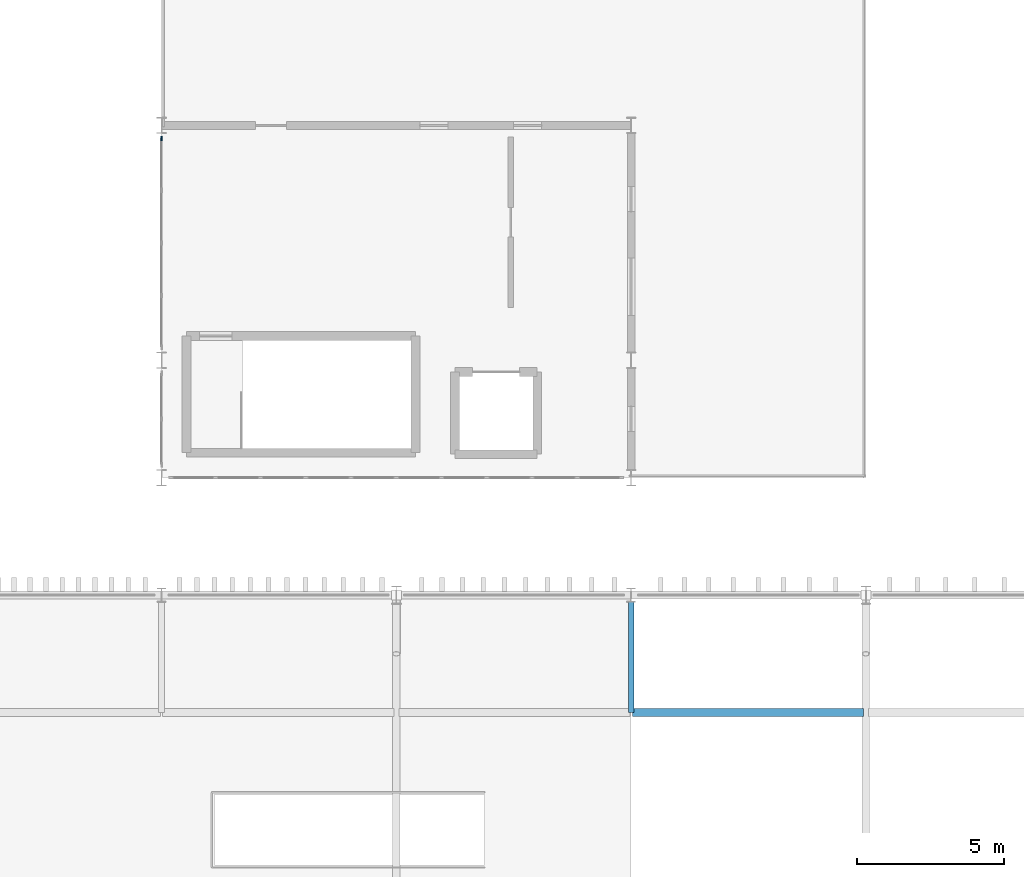
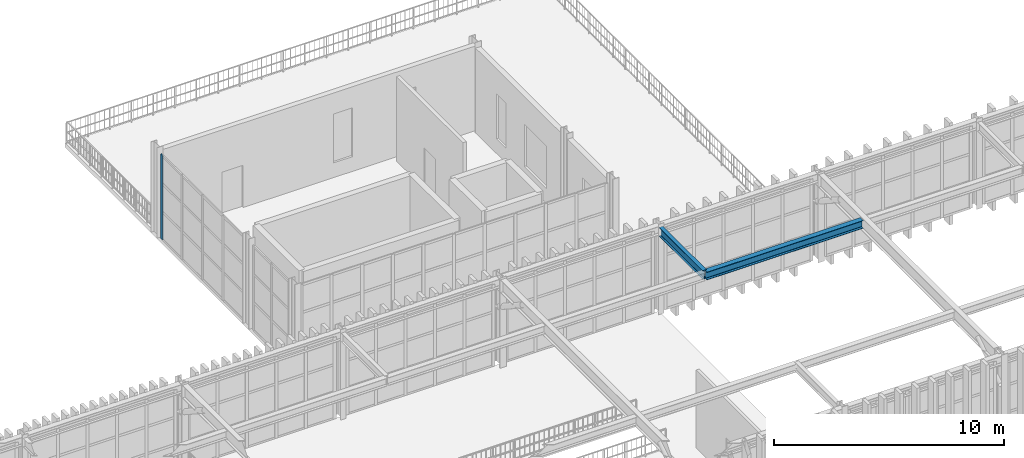
# One storey, part 27 of 61: 2 beams, 1 member, 1 element without a shape of its own.
"""IFC4 building model written with IfcOpenShell, lengths in metres."""

import ifcopenshell
import ifcopenshell.guid

model = None  # the IFC model being written
_history = None  # IfcOwnerHistory: only IFC2X3 demands one
_inside = {}  # id of a spatial element -> (the spatial element, [elements in it])
_under = {}  # id of a project, library or spatial element -> (it, [spatial elements below it])
_declared = {}  # id of a project -> (the project, [libraries it declares])
_typed = {}  # id of a type object -> (the type object, [elements of that type])
_made_of = {}  # id of a material, layer set ... -> (it, [elements and type objects made of it])


def new_model(schema):
    """Start an empty IFC model of exactly this schema.

    Asked for "IFC4X3", IfcOpenShell would pick the latest addendum, in which some entities
    have other attributes; the version numbers below select the first issue.
    IFC2X3 requires an IfcOwnerHistory on every rooted entity: one is made here for all.
    """
    global model, _history
    if schema == "IFC4X3":
        model = ifcopenshell.file(schema_version=(4, 3, 0, 0))
    else:
        model = ifcopenshell.file(schema=schema)
    _inside.clear()
    _under.clear()
    _declared.clear()
    _typed.clear()
    _made_of.clear()
    _history = None
    if model.schema == "IFC2X3":
        org = make("IfcOrganization", Name="unknown")
        user = make(
            "IfcPersonAndOrganization",
            ThePerson=make("IfcPerson", FamilyName="unknown"),
            TheOrganization=org,
        )
        app = make(
            "IfcApplication",
            ApplicationDeveloper=org,
            Version="unknown",
            ApplicationFullName="unknown",
            ApplicationIdentifier="unknown",
        )
        _history = make(
            "IfcOwnerHistory",
            OwningUser=user,
            OwningApplication=app,
            ChangeAction="ADDED",
            CreationDate=0,
        )
    return model


def make(cls, **values):
    """One entity of the class cls with the attributes given. An attribute that is None is left unset."""
    return model.create_entity(
        cls, **{name: value for name, value in values.items() if value is not None}
    )


def rooted(cls, **values):
    """An entity with a GlobalId (a new one), such as an element, a storey or a relation."""
    return make(cls, GlobalId=ifcopenshell.guid.new(), OwnerHistory=_history, **values)


def si_unit(unit_type, name, prefix=None):
    """IfcSIUnit, for example si_unit("LENGTHUNIT", "METRE", prefix="MILLI")."""
    return make("IfcSIUnit", UnitType=unit_type, Prefix=prefix, Name=name)


def assignment(units):
    """IfcUnitAssignment: the units of a project."""
    return None if units is None else make("IfcUnitAssignment", Units=units)


def point(xyz):
    """IfcCartesianPoint."""
    return None if xyz is None else make("IfcCartesianPoint", Coordinates=xyz)


def direction(xyz):
    """IfcDirection."""
    return None if xyz is None else make("IfcDirection", DirectionRatios=xyz)


def frame(location, z_axis=None, x_axis=None):
    """IfcAxis2Placement3D, a coordinate frame: its origin and axes. An axis left out is left unset."""
    return make(
        "IfcAxis2Placement3D",
        Location=point(location),
        Axis=direction(z_axis),
        RefDirection=direction(x_axis),
    )


def frame_2d(location, x_axis=None):
    """IfcAxis2Placement2D, a coordinate frame in the plane: its origin and x axis."""
    return make(
        "IfcAxis2Placement2D", Location=point(location), RefDirection=direction(x_axis)
    )


def origin():
    """The frame at (0, 0, 0) with its axes left unset."""
    return frame((0.0, 0.0, 0.0))


def origin_2d():
    """The frame at (0, 0) in the plane with its x axis left unset."""
    return frame_2d((0.0, 0.0))


def place(relative_to, where):
    """IfcLocalPlacement: puts the frame where relative to a parent placement (None: the world)."""
    return make(
        "IfcLocalPlacement", PlacementRelTo=relative_to, RelativePlacement=where
    )


def context(
    kind, dimensions, precision=None, world=None, true_north=None, identifier=None
):
    """IfcGeometricRepresentationContext, for example the 3D "Model" context."""
    return make(
        "IfcGeometricRepresentationContext",
        ContextIdentifier=identifier,
        ContextType=kind,
        CoordinateSpaceDimension=dimensions,
        Precision=precision,
        WorldCoordinateSystem=world,
        TrueNorth=true_north,
    )


def subcontext(parent, identifier, kind, view, scale=None):
    """IfcGeometricRepresentationSubContext, for example "Body" below "Model"."""
    return make(
        "IfcGeometricRepresentationSubContext",
        ContextIdentifier=identifier,
        ContextType=kind,
        ParentContext=parent,
        TargetScale=scale,
        TargetView=view,
    )


def project(units=None, contexts=None):
    """IfcProject with its units and contexts."""
    return rooted(
        "IfcProject",
        Name="project",
        RepresentationContexts=contexts,
        UnitsInContext=assignment(units),
    )


def spatial(cls, under=None, at=None, **own):
    """A site, building, storey or space (cls), placed at a placement, below another one or the project."""
    s = rooted(cls, ObjectPlacement=at, **own)
    if under is not None:
        _under.setdefault(under.id(), (under, []))[1].append(s)
    return s


def profile(cls, at=None, kind="AREA", **sizes):
    """A parametric profile (cls). Its sizes go by their IFC names, for example OverallWidth=200.0."""
    return make(cls, ProfileType=kind, Position=at, **sizes)


def rectangle(**sizes):
    """IfcRectangleProfileDef."""
    return profile("IfcRectangleProfileDef", **sizes)


def i_section(**sizes):
    """IfcIShapeProfileDef."""
    return profile("IfcIShapeProfileDef", **sizes)


def extrude(swept, where, along, depth):
    """IfcExtrudedAreaSolid: the profile swept, set in the frame where, extruded along a direction by depth."""
    return make(
        "IfcExtrudedAreaSolid",
        SweptArea=swept,
        Position=where,
        ExtrudedDirection=direction(along),
        Depth=depth,
    )


def shape(context_of_items, identifier, shape_type, items):
    """IfcShapeRepresentation: the items that make up one representation, for example the "Body"."""
    return make(
        "IfcShapeRepresentation",
        ContextOfItems=context_of_items,
        RepresentationIdentifier=identifier,
        RepresentationType=shape_type,
        Items=items,
    )


def material(Name=None, Category=None):
    """IfcMaterial."""
    return make("IfcMaterial", Name=Name, Category=Category)


def material_profile(
    of_material, cross_section, Name=None, Category=None, Priority=None
):
    """IfcMaterialProfile: a cross section and its material."""
    return make(
        "IfcMaterialProfile",
        Name=Name,
        Material=of_material,
        Profile=cross_section,
        Priority=Priority,
        Category=Category,
    )


def profile_set(profiles, Name=None, composite=None):
    """IfcMaterialProfileSet."""
    return make(
        "IfcMaterialProfileSet",
        Name=Name,
        MaterialProfiles=profiles,
        CompositeProfile=composite,
    )


def made_of(thing, what):
    """Note that an element or type object is made of a material, layer set ...; save() writes the relation."""
    if what is not None:
        _made_of.setdefault(what.id(), (what, []))[1].append(thing)
    return thing


def type_object(cls, material=None, **own):
    """A type object (cls), such as IfcWallType, which elements share."""
    return made_of(rooted(cls, **own), material)


def element(
    cls,
    number,
    at=None,
    inside=None,
    cuts=None,
    type_object=None,
    material=None,
    context=None,
    identifier="Body",
    shape_type=None,
    held_by="IfcProductDefinitionShape",
    body=None,
    shapes=None,
    **own,
):
    """One element of the class cls, such as IfcWall. Its Tag is "e" and its number.

    at: its placement. inside: the storey or other place that contains it. cuts: it is an
    opening in that element (IfcRelVoidsElement). A single representation is given by context,
    identifier, shape_type and body (its items); several are given by shapes. held_by: the class
    of the entity that holds the representations. save() writes the other relations.
    """
    e = rooted(cls, Tag="e%d" % number, ObjectPlacement=at, **own)
    if body is not None:
        shapes = [shape(context, identifier, shape_type, body)]
    if shapes is not None:
        e.Representation = make(held_by, Representations=shapes)
    if inside is not None:
        _inside.setdefault(inside.id(), (inside, []))[1].append(e)
    if cuts is not None:
        rooted(
            "IfcRelVoidsElement", RelatingBuildingElement=cuts, RelatedOpeningElement=e
        )
    if type_object is not None:
        _typed.setdefault(type_object.id(), (type_object, []))[1].append(e)
    return made_of(e, material)


def aggregate(whole, parts):
    """IfcRelAggregates: a whole, such as a stair, and the parts it consists of."""
    return rooted("IfcRelAggregates", RelatingObject=whole, RelatedObjects=parts)


def save(model, path):
    """Write the relations noted so far, then the file.

    IfcRelAggregates (storeys below a building ...), IfcRelContainedInSpatialStructure (elements
    in a storey), IfcRelDefinesByType, IfcRelAssociatesMaterial and IfcRelDeclares: one each for
    every whole, place, type object, material and project.
    """
    for whole, parts in _under.values():
        aggregate(whole, parts)
    for where, things in _inside.values():
        rooted(
            "IfcRelContainedInSpatialStructure",
            RelatedElements=things,
            RelatingStructure=where,
        )
    for kind, things in _typed.values():
        rooted("IfcRelDefinesByType", RelatedObjects=things, RelatingType=kind)
    for what, things in _made_of.values():
        rooted("IfcRelAssociatesMaterial", RelatedObjects=things, RelatingMaterial=what)
    for by, libraries in _declared.values():
        rooted("IfcRelDeclares", RelatingContext=by, RelatedDefinitions=libraries)
    model.write(path)


model = new_model("IFC4")

# Units and contexts
model_context = context("Model", 3, precision=1e-05, world=origin(), true_north=direction((0.0, 1.0)))
body_context = subcontext(model_context, "Body", "Model", "MODEL_VIEW")
ifc_project = project(units=[si_unit("LENGTHUNIT", "METRE"), si_unit("AREAUNIT", "SQUARE_METRE"), si_unit("VOLUMEUNIT", "CUBIC_METRE"), si_unit("PLANEANGLEUNIT", "RADIAN"), si_unit("MASSUNIT", "GRAM", prefix="KILO")], contexts=[model_context])

# Site, building, storey
site_placement = place(None, origin())
site = spatial("IfcSite", under=ifc_project, at=site_placement, CompositionType="ELEMENT")
building_placement = place(site_placement, origin())
building = spatial("IfcBuilding", under=site, at=building_placement, Name="Serraluz Foothill Cableway Terminal", CompositionType="ELEMENT")
storey_placement = place(building_placement, frame((0.0, 0.0, 15.0)))
storey = spatial("IfcBuildingStorey", under=building, at=storey_placement, Name="L03", CompositionType="ELEMENT", Elevation=15.0)

# Curtain wall, member
ifc_material_1 = material(Name="Architectural bronze alloy C28000", Category="aluminium")
curtain_wall_type = type_object("IfcCurtainWallType", Name="TYP-CW-640X440", PredefinedType="NOTDEFINED", material=ifc_material_1)
curtain_wall_placement = place(storey_placement, origin())
curtain_wall = element("IfcCurtainWall", 1, at=curtain_wall_placement, inside=storey, type_object=curtain_wall_type, Name="Ribbed Glazed Curtain Wall CW-V4W-L03-2", PredefinedType="NOTDEFINED")
ifc_material_profile_1 = material_profile(ifc_material_1, rectangle(XDim=0.06005859375, YDim=0.159912109375, at=origin_2d()), Name="ALU MULLION 60x160")
ifc_profile_set_1 = profile_set([ifc_material_profile_1], Name="Architectural bronze alloy C28000")
member_type = type_object("IfcMemberType", Name="TYP-CW-MUL-60X160", PredefinedType="MULLION", material=ifc_profile_set_1)
member_placement = place(storey_placement, frame((80.0, 87.55859375, 0.0), z_axis=(0.0, 0.0, 1.0), x_axis=(-1.0, 0.0, 0.0)))
member = element("IfcMember", 2, at=member_placement, type_object=member_type, Name="CW-12 mullion 5", PredefinedType="MULLION", context=body_context, shape_type="SweptSolid", body=[
    extrude(rectangle(XDim=0.06005859375, YDim=0.159912109375, at=origin_2d()), origin(), (0.0, 0.0, 1.0), 4.5),
])
aggregate(curtain_wall, [member])

# Beams
ifc_material_2 = material(Name="Steel ASTM A992 Grade 50", Category="steel")
ifc_material_profile_2 = material_profile(ifc_material_2, i_section(OverallWidth=0.260009765625, OverallDepth=0.4189453125, WebThickness=0.01171875, FlangeThickness=0.019287109375, FilletRadius=0.013916015625, at=origin_2d()), Name="W16X77")
ifc_profile_set_2 = profile_set([ifc_material_profile_2], Name="Steel ASTM A992 Grade 50")
beam_type_1 = type_object("IfcBeamType", Name="TYP-JS-W16X77", PredefinedType="JOIST", material=ifc_profile_set_2)
beam_1_placement = place(storey_placement, frame((96.0400390625, 68.0, 4.35009765625), z_axis=(1.0, 0.0, 0.0), x_axis=(0.0, 1.0, 0.0)))
element("IfcBeam", 3, at=beam_1_placement, inside=storey, type_object=beam_type_1, Name="Eaves Gallery Support Beam 96-68", PredefinedType="JOIST", context=body_context, shape_type="SweptSolid", body=[
    extrude(i_section(OverallWidth=0.260009765625, OverallDepth=0.4189453125, WebThickness=0.01171875, FlangeThickness=0.019287109375, FilletRadius=0.013916015625, at=origin_2d()), origin(), (0.0, 0.0, 1.0), 7.875),
])
ifc_material_profile_3 = material_profile(ifc_material_2, i_section(OverallWidth=0.193115234375, OverallDepth=0.467041015625, WebThickness=0.011474609375, FlangeThickness=0.01904296875, FilletRadius=0.014892578125, at=origin_2d()), Name="W18X65")
ifc_profile_set_3 = profile_set([ifc_material_profile_3], Name="Steel ASTM A992 Grade 50")
beam_type_2 = type_object("IfcBeamType", Name="TYP-JS-W18X65", PredefinedType="JOIST", material=ifc_profile_set_3)
beam_2_placement = place(storey_placement, frame((96.0, 68.0, 4.3798828125), z_axis=(0.0, 1.0, 0.0), x_axis=(-1.0, 0.0, 0.0)))
element("IfcBeam", 4, at=beam_2_placement, inside=storey, type_object=beam_type_2, Name="Eaves Gallery Bracket Tie 96-68", PredefinedType="JOIST", context=body_context, shape_type="SweptSolid", body=[
    extrude(i_section(OverallWidth=0.193115234375, OverallDepth=0.467041015625, WebThickness=0.011474609375, FlangeThickness=0.01904296875, FilletRadius=0.014892578125, at=origin_2d()), origin(), (0.0, 0.0, 1.0), 3.800048828125),
])

save(model, "model.ifc")
